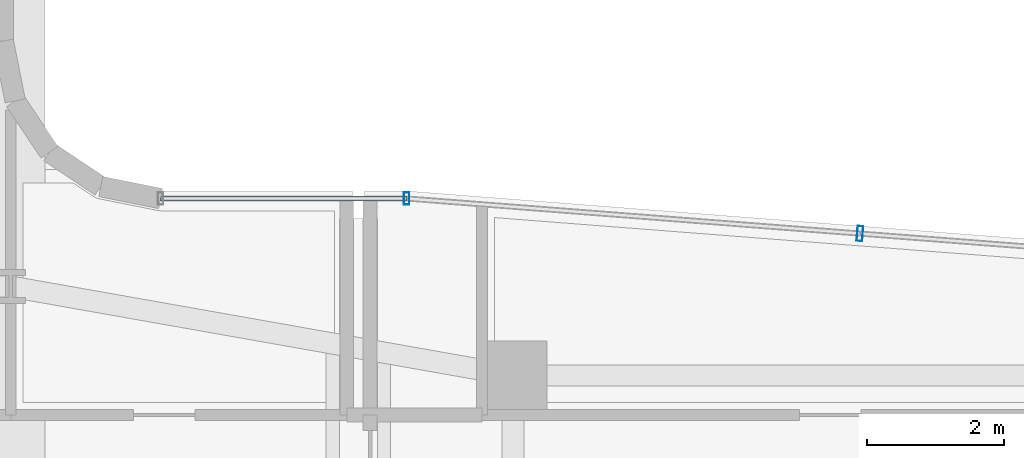
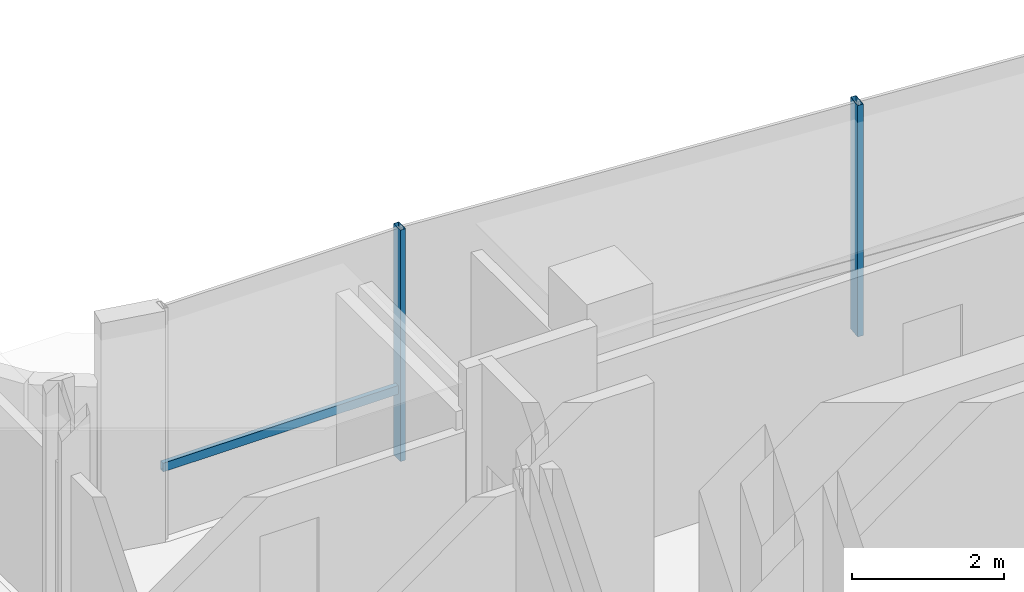
# One storey, part 23 of 35: 3 members, 2 elements without a shape of their own.
"""IFC4 building model written with IfcOpenShell, lengths in metres."""

from ifc_helpers import new_model, si_unit, direction, frame, origin, origin_2d, place, context, subcontext, project, spatial, hollow_rectangle, extrude, source, transform, mapped, material, material_profile, profile_set, type_object, element, aggregate, save


model = new_model("IFC4")

# Units and contexts
model_context = context("Model", 3, precision=1e-05, world=origin(), true_north=direction((0.0, 1.0)))
body_context = subcontext(model_context, "Body", "Model", "MODEL_VIEW")
ifc_project = project(units=[si_unit("LENGTHUNIT", "METRE"), si_unit("AREAUNIT", "SQUARE_METRE"), si_unit("VOLUMEUNIT", "CUBIC_METRE"), si_unit("PLANEANGLEUNIT", "RADIAN"), si_unit("MASSUNIT", "GRAM", prefix="KILO")], contexts=[model_context])

# Site, building, storey
site_placement = place(None, origin())
site = spatial("IfcSite", under=ifc_project, at=site_placement, CompositionType="ELEMENT")
building_placement = place(site_placement, origin())
building = spatial("IfcBuilding", under=site, at=building_placement, Name="Valdorenza Pilgrim Sanctuary Tower", CompositionType="ELEMENT")
storey_placement = place(building_placement, frame((0.0, 0.0, 192.35009765625)))
storey = spatial("IfcBuildingStorey", under=building, at=storey_placement, Name="L49", CompositionType="ELEMENT", Elevation=192.35009765625)

# Curtain wall, members
ifc_material_1 = material(Name="Curtain-wall IGU glazing", Category="glass")
curtain_wall_type_1 = type_object("IfcCurtainWallType", Name="CW-SYS-05", PredefinedType="NOTDEFINED", material=ifc_material_1)
curtain_wall_1_placement = place(storey_placement, origin())
curtain_wall_1 = element("IfcCurtainWall", 1, at=curtain_wall_1_placement, inside=storey, type_object=curtain_wall_type_1, Name="L49 Curtain Wall CW-L49-1-31", PredefinedType="NOTDEFINED")
ifc_material_2 = material(Name="Anodised aluminium AW-6060", Category="aluminium")
ifc_material_profile_1 = material_profile(ifc_material_2, hollow_rectangle(XDim=0.070068359375, YDim=0.139892578125, WallThickness=0.00341796875, at=origin_2d()), Name="ALU-T 140x70x3.5")
ifc_profile_set_1 = profile_set([ifc_material_profile_1], Name="Anodised aluminium AW-6060")
member_type_1 = type_object("IfcMemberType", Name="CW-TRN-05", PredefinedType="USERDEFINED", material=ifc_profile_set_1)
shared_shape_1 = source(origin(), body_context, "Body", "SweptSolid", [
    extrude(hollow_rectangle(XDim=0.070068359375, YDim=0.139892578125, WallThickness=0.00341796875, at=origin_2d()), origin(), (0.0, 0.0, 1.0), 3.6025390625),
])
member_1_placement = place(storey_placement, frame((10.693115234375, 16.090087890625, 1.119873046875), z_axis=(1.0, 0.0, 0.0), x_axis=(0.0, 1.0, 0.0)))
member_1 = element("IfcMember", 2, at=member_1_placement, type_object=member_type_1, Name="CW-L49-1-31 Transom 1", ObjectType="TRANSOM", PredefinedType="USERDEFINED", context=body_context, shape_type="MappedRepresentation", body=[
    mapped(shared_shape_1, transform((0.0, 0.0, 0.0), x_axis=(1.0, 0.0, 0.0), y_axis=(0.0, 1.0, 0.0), z_axis=(0.0, 0.0, 1.0), scale=1.0)),
])
ifc_material_profile_2 = material_profile(ifc_material_2, hollow_rectangle(XDim=0.080078125, YDim=0.179931640625, WallThickness=0.00439453125, at=origin_2d()), Name="ALU-M 180x80x4.5")
ifc_profile_set_2 = profile_set([ifc_material_profile_2], Name="Anodised aluminium AW-6060")
member_type_2 = type_object("IfcMemberType", Name="CW-MUL-05", PredefinedType="MULLION", material=ifc_profile_set_2)
shared_shape_2 = source(origin(), body_context, "Body", "SweptSolid", [
    extrude(hollow_rectangle(XDim=0.080078125, YDim=0.179931640625, WallThickness=0.00439453125, at=origin_2d()), origin(), (0.0, 0.0, 1.0), 3.7099609375),
])
member_2_placement = place(storey_placement, frame((14.295654296875, 16.090087890625, 0.0), z_axis=(0.0, 0.0, 1.0), x_axis=(1.0, 0.0, 0.0)))
member_2 = element("IfcMember", 3, at=member_2_placement, type_object=member_type_2, Name="CW-L49-1-31 Mullion 2", PredefinedType="MULLION", context=body_context, shape_type="MappedRepresentation", body=[
    mapped(shared_shape_2, transform((0.0, 0.0, 0.0), x_axis=(1.0, 0.0, 0.0), y_axis=(0.0, 1.0, 0.0), z_axis=(0.0, 0.0, 1.0), scale=1.0)),
])
aggregate(curtain_wall_1, [member_2, member_1])

# Curtain wall, member
curtain_wall_type_2 = type_object("IfcCurtainWallType", Name="CW-SYS-03", PredefinedType="NOTDEFINED", material=ifc_material_1)
curtain_wall_2_placement = place(storey_placement, origin())
curtain_wall_2 = element("IfcCurtainWall", 4, at=curtain_wall_2_placement, inside=storey, type_object=curtain_wall_type_2, Name="L49 Curtain Wall CW-L49-1-32", PredefinedType="NOTDEFINED")
ifc_material_profile_3 = material_profile(ifc_material_2, hollow_rectangle(XDim=0.0849609375, YDim=0.219970703125, WallThickness=0.0048828125, at=origin_2d()), Name="ALU-M 220x85x5")
ifc_profile_set_3 = profile_set([ifc_material_profile_3], Name="Anodised aluminium AW-6060")
member_type_3 = type_object("IfcMemberType", Name="CW-MUL-03", PredefinedType="MULLION", material=ifc_profile_set_3)
shared_shape_3 = source(origin(), body_context, "Body", "SweptSolid", [
    extrude(hollow_rectangle(XDim=0.0849609375, YDim=0.219970703125, WallThickness=0.0048828125, at=origin_2d()), origin(), (0.0, 0.0, 1.0), 3.7099609375),
])
member_3_placement = place(storey_placement, frame((20.93115234375, 15.576416015625, 0.0), z_axis=(0.0, 0.0, 1.0), x_axis=(0.997016488532, -0.077188869631, 0.0)))
member_3 = element("IfcMember", 5, at=member_3_placement, type_object=member_type_3, Name="CW-L49-1-32 Mullion 2", PredefinedType="MULLION", context=body_context, shape_type="MappedRepresentation", body=[
    mapped(shared_shape_3, transform((0.0, 0.0, 0.0), x_axis=(1.0, 0.0, 0.0), y_axis=(0.0, 1.0, 0.0), z_axis=(0.0, 0.0, 1.0), scale=1.0)),
])
aggregate(curtain_wall_2, [member_3])

save(model, "model.ifc")
